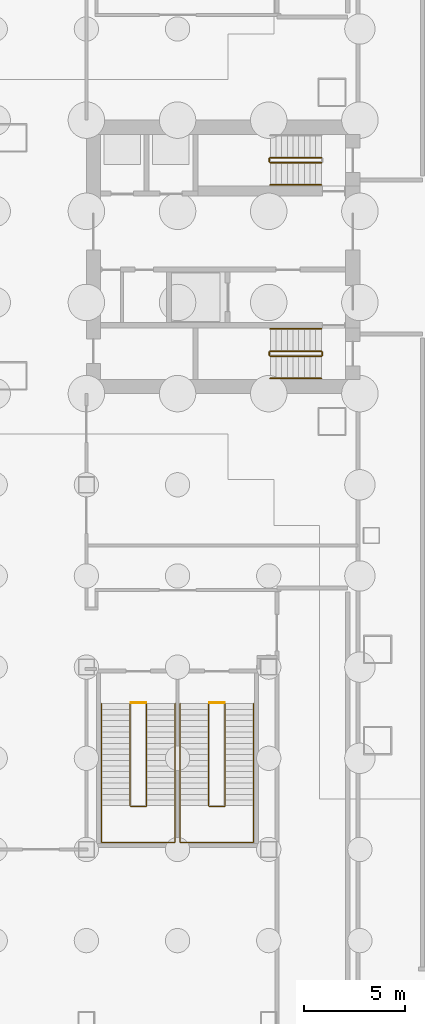
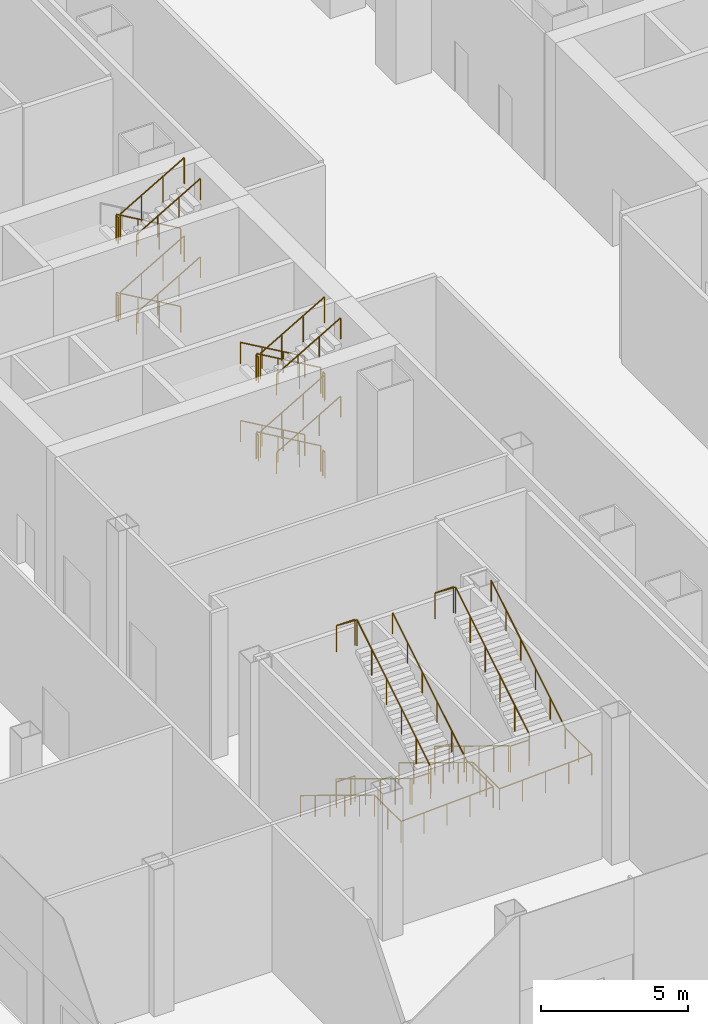
# One storey, part 30 of 37: 26 railings.
"""IFC4 building model written with IfcOpenShell, lengths in metres."""

from ifc_helpers import new_model, si_unit, direction, frame, origin, origin_2d, place, context, subcontext, project, spatial, circle, extrude, material, type_object, element, save


model = new_model("IFC4")

# Units and contexts
model_context = context("Model", 3, precision=1e-05, world=origin(), true_north=direction((0.0, 1.0)))
body_context = subcontext(model_context, "Body", "Model", "MODEL_VIEW")
ifc_project = project(units=[si_unit("LENGTHUNIT", "METRE"), si_unit("AREAUNIT", "SQUARE_METRE"), si_unit("VOLUMEUNIT", "CUBIC_METRE"), si_unit("PLANEANGLEUNIT", "RADIAN"), si_unit("MASSUNIT", "GRAM", prefix="KILO")], contexts=[model_context])

# Site, building, storey
site_placement = place(None, origin())
site = spatial("IfcSite", under=ifc_project, at=site_placement, CompositionType="ELEMENT")
building_placement = place(site_placement, origin())
building = spatial("IfcBuilding", under=site, at=building_placement, Name="Shamsa Quay Exchange Towers", CompositionType="ELEMENT")
storey_placement = place(building_placement, origin())
storey = spatial("IfcBuildingStorey", under=building, at=storey_placement, Name="L00", CompositionType="ELEMENT", Elevation=0.0)

# Railings
ifc_material = material(Name="Stainless steel", Category="steel")
railing_type_1 = type_object("IfcRailingType", Name="STAIR GUARD 1100", PredefinedType="GUARDRAIL", material=ifc_material)
railing_1_placement = place(storey_placement, frame((-42.39990234375, -4.64990234375, 0.16259765625)))
element("IfcRailing", 1, at=railing_1_placement, inside=storey, type_object=railing_type_1, Name="L00 ST2 stair guard 1", PredefinedType="GUARDRAIL", context=body_context, shape_type="SweptSolid", body=[
    extrude(circle(Radius=0.02392578125, at=origin_2d()), frame((0.0, 0.0, 1.076171875), z_axis=(-0.864913338283, 0.0, 0.50192122615), x_axis=(0.0, -1.0, 0.0)), (0.0, 0.0, 1.0), 2.91357421875),
    extrude(circle(Radius=0.02099609375, at=origin_2d()), origin(), (0.0, 0.0, 1.0), 1.052001953125),
    extrude(circle(Radius=0.02099609375, at=origin_2d()), frame((-0.840087890625, 0.0, 0.487548828125)), (0.0, 0.0, 1.0), 1.052001953125),
    extrude(circle(Radius=0.02099609375, at=origin_2d()), frame((-1.679931640625, 0.0, 0.974853515625)), (0.0, 0.0, 1.0), 1.052001953125),
    extrude(circle(Radius=0.02099609375, at=origin_2d()), frame((-2.52001953125, 0.0, 1.46240234375)), (0.0, 0.0, 1.0), 1.052001953125),
])
railing_2_placement = place(storey_placement, frame((-44.969970703125, -4.699951171875, 1.625)))
element("IfcRailing", 2, at=railing_2_placement, inside=storey, type_object=railing_type_1, Name="L00 ST2 stair guard 2", PredefinedType="GUARDRAIL", context=body_context, shape_type="SweptSolid", body=[
    extrude(circle(Radius=0.02392578125, at=origin_2d()), frame((0.0, 0.0, 1.076171875), z_axis=(0.0, -1.0, 0.0), x_axis=(1.0, 0.0, 0.0)), (0.0, 0.0, 1.0), 0.150146484375),
    extrude(circle(Radius=0.02099609375, at=origin_2d()), origin(), (0.0, 0.0, 1.0), 1.052001953125),
    extrude(circle(Radius=0.02099609375, at=origin_2d()), frame((0.0, -0.150146484375, 0.0)), (0.0, 0.0, 1.0), 1.052001953125),
])
railing_3_placement = place(storey_placement, frame((-44.919921875, -4.89990234375, 1.78759765625)))
element("IfcRailing", 3, at=railing_3_placement, inside=storey, type_object=railing_type_1, Name="L00 ST2 stair guard 3", PredefinedType="GUARDRAIL", context=body_context, shape_type="SweptSolid", body=[
    extrude(circle(Radius=0.02392578125, at=origin_2d()), frame((0.0, 0.0, 1.076171875), z_axis=(0.864913338283, 0.0, 0.50192122615), x_axis=(0.0, 1.0, 0.0)), (0.0, 0.0, 1.0), 2.91357421875),
    extrude(circle(Radius=0.02099609375, at=origin_2d()), origin(), (0.0, 0.0, 1.0), 1.052001953125),
    extrude(circle(Radius=0.02099609375, at=origin_2d()), frame((0.840087890625, 0.0, 0.487548828125)), (0.0, 0.0, 1.0), 1.052001953125),
    extrude(circle(Radius=0.02099609375, at=origin_2d()), frame((1.679931640625, 0.0, 0.974853515625)), (0.0, 0.0, 1.0), 1.052001953125),
    extrude(circle(Radius=0.02099609375, at=origin_2d()), frame((2.52001953125, 0.0, 1.46240234375)), (0.0, 0.0, 1.0), 1.052001953125),
])
railing_4_placement = place(storey_placement, frame((-42.35009765625, -4.699951171875, 3.25)))
element("IfcRailing", 4, at=railing_4_placement, inside=storey, type_object=railing_type_1, Name="L00 ST2 stair guard 4", PredefinedType="GUARDRAIL", context=body_context, shape_type="SweptSolid", body=[
    extrude(circle(Radius=0.02392578125, at=origin_2d()), frame((0.0, 0.0, 1.076171875), z_axis=(0.0, -1.0, 0.0), x_axis=(1.0, 0.0, 0.0)), (0.0, 0.0, 1.0), 0.150146484375),
    extrude(circle(Radius=0.02099609375, at=origin_2d()), origin(), (0.0, 0.0, 1.0), 1.052001953125),
    extrude(circle(Radius=0.02099609375, at=origin_2d()), frame((0.0, -0.150146484375, 0.0)), (0.0, 0.0, 1.0), 1.052001953125),
])
railing_5_placement = place(storey_placement, frame((-42.39990234375, -4.64990234375, 3.41259765625)))
element("IfcRailing", 5, at=railing_5_placement, inside=storey, type_object=railing_type_1, Name="L00 ST2 stair guard 5", PredefinedType="GUARDRAIL", context=body_context, shape_type="SweptSolid", body=[
    extrude(circle(Radius=0.02392578125, at=origin_2d()), frame((0.0, 0.0, 1.076171875), z_axis=(-0.864913338283, 0.0, 0.50192122615), x_axis=(0.0, -1.0, 0.0)), (0.0, 0.0, 1.0), 2.91357421875),
    extrude(circle(Radius=0.02099609375, at=origin_2d()), origin(), (0.0, 0.0, 1.0), 1.052001953125),
    extrude(circle(Radius=0.02099609375, at=origin_2d()), frame((-0.840087890625, 0.0, 0.487548828125)), (0.0, 0.0, 1.0), 1.052001953125),
    extrude(circle(Radius=0.02099609375, at=origin_2d()), frame((-1.679931640625, 0.0, 0.974853515625)), (0.0, 0.0, 1.0), 1.052001953125),
    extrude(circle(Radius=0.02099609375, at=origin_2d()), frame((-2.52001953125, 0.0, 1.46240234375)), (0.0, 0.0, 1.0), 1.052001953125),
])
railing_6_placement = place(storey_placement, frame((-44.969970703125, -4.699951171875, 4.875)))
element("IfcRailing", 6, at=railing_6_placement, inside=storey, type_object=railing_type_1, Name="L00 ST2 stair guard 6", PredefinedType="GUARDRAIL", context=body_context, shape_type="SweptSolid", body=[
    extrude(circle(Radius=0.02392578125, at=origin_2d()), frame((0.0, 0.0, 1.076171875), z_axis=(0.0, -1.0, 0.0), x_axis=(1.0, 0.0, 0.0)), (0.0, 0.0, 1.0), 0.150146484375),
    extrude(circle(Radius=0.02099609375, at=origin_2d()), origin(), (0.0, 0.0, 1.0), 1.052001953125),
    extrude(circle(Radius=0.02099609375, at=origin_2d()), frame((0.0, -0.150146484375, 0.0)), (0.0, 0.0, 1.0), 1.052001953125),
])
railing_7_placement = place(storey_placement, frame((-44.919921875, -4.89990234375, 5.03759765625)))
element("IfcRailing", 7, at=railing_7_placement, inside=storey, type_object=railing_type_1, Name="L00 ST2 stair guard 7", PredefinedType="GUARDRAIL", context=body_context, shape_type="SweptSolid", body=[
    extrude(circle(Radius=0.02392578125, at=origin_2d()), frame((0.0, 0.0, 1.076171875), z_axis=(0.864913338283, 0.0, 0.50192122615), x_axis=(0.0, 1.0, 0.0)), (0.0, 0.0, 1.0), 2.91357421875),
    extrude(circle(Radius=0.02099609375, at=origin_2d()), origin(), (0.0, 0.0, 1.0), 1.052001953125),
    extrude(circle(Radius=0.02099609375, at=origin_2d()), frame((0.840087890625, 0.0, 0.487548828125)), (0.0, 0.0, 1.0), 1.052001953125),
    extrude(circle(Radius=0.02099609375, at=origin_2d()), frame((1.679931640625, 0.0, 0.974853515625)), (0.0, 0.0, 1.0), 1.052001953125),
    extrude(circle(Radius=0.02099609375, at=origin_2d()), frame((2.52001953125, 0.0, 1.46240234375)), (0.0, 0.0, 1.0), 1.052001953125),
])
railing_8_placement = place(storey_placement, frame((-42.35009765625, -4.699951171875, 0.0)))
element("IfcRailing", 8, at=railing_8_placement, inside=storey, type_object=railing_type_1, Name="L00 ST2 stair guard 8", PredefinedType="GUARDRAIL", context=body_context, shape_type="SweptSolid", body=[
    extrude(circle(Radius=0.02392578125, at=origin_2d()), frame((0.0, 0.0, 1.076171875), z_axis=(0.0, -1.0, 0.0), x_axis=(1.0, 0.0, 0.0)), (0.0, 0.0, 1.0), 0.150146484375),
    extrude(circle(Radius=0.02099609375, at=origin_2d()), origin(), (0.0, 0.0, 1.0), 1.052001953125),
    extrude(circle(Radius=0.02099609375, at=origin_2d()), frame((0.0, -0.150146484375, 0.0)), (0.0, 0.0, 1.0), 1.052001953125),
])
railing_9_placement = place(storey_placement, frame((-42.39990234375, 4.89990234375, 0.16259765625)))
element("IfcRailing", 9, at=railing_9_placement, inside=storey, type_object=railing_type_1, Name="L00 ST3 stair guard 1", PredefinedType="GUARDRAIL", context=body_context, shape_type="SweptSolid", body=[
    extrude(circle(Radius=0.02392578125, at=origin_2d()), frame((0.0, 0.0, 1.076171875), z_axis=(-0.864913338283, 0.0, 0.50192122615), x_axis=(0.0, -1.0, 0.0)), (0.0, 0.0, 1.0), 2.91357421875),
    extrude(circle(Radius=0.02099609375, at=origin_2d()), origin(), (0.0, 0.0, 1.0), 1.052001953125),
    extrude(circle(Radius=0.02099609375, at=origin_2d()), frame((-0.840087890625, 0.0, 0.487548828125)), (0.0, 0.0, 1.0), 1.052001953125),
    extrude(circle(Radius=0.02099609375, at=origin_2d()), frame((-1.679931640625, 0.0, 0.974853515625)), (0.0, 0.0, 1.0), 1.052001953125),
    extrude(circle(Radius=0.02099609375, at=origin_2d()), frame((-2.52001953125, 0.0, 1.46240234375)), (0.0, 0.0, 1.0), 1.052001953125),
])
railing_10_placement = place(storey_placement, frame((-44.969970703125, 4.85009765625, 1.625)))
element("IfcRailing", 10, at=railing_10_placement, inside=storey, type_object=railing_type_1, Name="L00 ST3 stair guard 2", PredefinedType="GUARDRAIL", context=body_context, shape_type="SweptSolid", body=[
    extrude(circle(Radius=0.02392578125, at=origin_2d()), frame((0.0, 0.0, 1.076171875), z_axis=(0.0, -1.0, 0.0), x_axis=(1.0, 0.0, 0.0)), (0.0, 0.0, 1.0), 0.150146484375),
    extrude(circle(Radius=0.02099609375, at=origin_2d()), origin(), (0.0, 0.0, 1.0), 1.052001953125),
    extrude(circle(Radius=0.02099609375, at=origin_2d()), frame((0.0, -0.150146484375, 0.0)), (0.0, 0.0, 1.0), 1.052001953125),
])
railing_11_placement = place(storey_placement, frame((-44.919921875, 4.64990234375, 1.78759765625)))
element("IfcRailing", 11, at=railing_11_placement, inside=storey, type_object=railing_type_1, Name="L00 ST3 stair guard 3", PredefinedType="GUARDRAIL", context=body_context, shape_type="SweptSolid", body=[
    extrude(circle(Radius=0.02392578125, at=origin_2d()), frame((0.0, 0.0, 1.076171875), z_axis=(0.864913338283, 0.0, 0.50192122615), x_axis=(0.0, 1.0, 0.0)), (0.0, 0.0, 1.0), 2.91357421875),
    extrude(circle(Radius=0.02099609375, at=origin_2d()), origin(), (0.0, 0.0, 1.0), 1.052001953125),
    extrude(circle(Radius=0.02099609375, at=origin_2d()), frame((0.840087890625, 0.0, 0.487548828125)), (0.0, 0.0, 1.0), 1.052001953125),
    extrude(circle(Radius=0.02099609375, at=origin_2d()), frame((1.679931640625, 0.0, 0.974853515625)), (0.0, 0.0, 1.0), 1.052001953125),
    extrude(circle(Radius=0.02099609375, at=origin_2d()), frame((2.52001953125, 0.0, 1.46240234375)), (0.0, 0.0, 1.0), 1.052001953125),
])
railing_12_placement = place(storey_placement, frame((-42.39990234375, 4.89990234375, 3.41259765625)))
element("IfcRailing", 12, at=railing_12_placement, inside=storey, type_object=railing_type_1, Name="L00 ST3 stair guard 5", PredefinedType="GUARDRAIL", context=body_context, shape_type="SweptSolid", body=[
    extrude(circle(Radius=0.02392578125, at=origin_2d()), frame((0.0, 0.0, 1.076171875), z_axis=(-0.864913338283, 0.0, 0.50192122615), x_axis=(0.0, -1.0, 0.0)), (0.0, 0.0, 1.0), 2.91357421875),
    extrude(circle(Radius=0.02099609375, at=origin_2d()), origin(), (0.0, 0.0, 1.0), 1.052001953125),
    extrude(circle(Radius=0.02099609375, at=origin_2d()), frame((-0.840087890625, 0.0, 0.487548828125)), (0.0, 0.0, 1.0), 1.052001953125),
    extrude(circle(Radius=0.02099609375, at=origin_2d()), frame((-1.679931640625, 0.0, 0.974853515625)), (0.0, 0.0, 1.0), 1.052001953125),
    extrude(circle(Radius=0.02099609375, at=origin_2d()), frame((-2.52001953125, 0.0, 1.46240234375)), (0.0, 0.0, 1.0), 1.052001953125),
])
railing_13_placement = place(storey_placement, frame((-44.969970703125, 4.85009765625, 4.875)))
element("IfcRailing", 13, at=railing_13_placement, inside=storey, type_object=railing_type_1, Name="L00 ST3 stair guard 6", PredefinedType="GUARDRAIL", context=body_context, shape_type="SweptSolid", body=[
    extrude(circle(Radius=0.02392578125, at=origin_2d()), frame((0.0, 0.0, 1.076171875), z_axis=(0.0, -1.0, 0.0), x_axis=(1.0, 0.0, 0.0)), (0.0, 0.0, 1.0), 0.150146484375),
    extrude(circle(Radius=0.02099609375, at=origin_2d()), origin(), (0.0, 0.0, 1.0), 1.052001953125),
    extrude(circle(Radius=0.02099609375, at=origin_2d()), frame((0.0, -0.150146484375, 0.0)), (0.0, 0.0, 1.0), 1.052001953125),
])
railing_14_placement = place(storey_placement, frame((-44.919921875, 4.64990234375, 5.03759765625)))
element("IfcRailing", 14, at=railing_14_placement, inside=storey, type_object=railing_type_1, Name="L00 ST3 stair guard 7", PredefinedType="GUARDRAIL", context=body_context, shape_type="SweptSolid", body=[
    extrude(circle(Radius=0.02392578125, at=origin_2d()), frame((0.0, 0.0, 1.076171875), z_axis=(0.864913338283, 0.0, 0.50192122615), x_axis=(0.0, 1.0, 0.0)), (0.0, 0.0, 1.0), 2.91357421875),
    extrude(circle(Radius=0.02099609375, at=origin_2d()), origin(), (0.0, 0.0, 1.0), 1.052001953125),
    extrude(circle(Radius=0.02099609375, at=origin_2d()), frame((0.840087890625, 0.0, 0.487548828125)), (0.0, 0.0, 1.0), 1.052001953125),
    extrude(circle(Radius=0.02099609375, at=origin_2d()), frame((1.679931640625, 0.0, 0.974853515625)), (0.0, 0.0, 1.0), 1.052001953125),
    extrude(circle(Radius=0.02099609375, at=origin_2d()), frame((2.52001953125, 0.0, 1.46240234375)), (0.0, 0.0, 1.0), 1.052001953125),
])
railing_15_placement = place(storey_placement, frame((-51.85009765625, -22.050048828125, 0.171142578125)))
element("IfcRailing", 15, at=railing_15_placement, inside=storey, type_object=railing_type_1, Name="L00 PS5A stair guard 1", PredefinedType="GUARDRAIL", context=body_context, shape_type="SweptSolid", body=[
    extrude(circle(Radius=0.02392578125, at=origin_2d()), frame((0.0, 0.0, 1.076171875), z_axis=(0.0, -0.853369698388, 0.521306203564), x_axis=(1.0, 0.0, 0.0)), (0.0, 0.0, 1.0), 5.906005859375),
    extrude(circle(Radius=0.02392578125, at=origin_2d()), frame((0.0, -5.0400390625, 4.15478515625), z_axis=(0.708833529934, -0.705375805398, 0.0), x_axis=(0.705375805398, 0.708833529934, 0.0)), (0.0, 0.0, 1.0), 0.070556640625),
    extrude(circle(Radius=0.02392578125, at=origin_2d()), frame((0.050048828125, -5.08984375, 4.15478515625), z_axis=(1.0, 0.0, 0.0), x_axis=(0.0, 1.0, 0.0)), (0.0, 0.0, 1.0), 0.72509765625),
    extrude(circle(Radius=0.02392578125, at=origin_2d()), frame((0.775146484375, -5.08984375, 4.15478515625), z_axis=(0.270336121127, 0.269017408341, 0.924417662977), x_axis=(-0.705375805398, 0.708833529934, 0.0)), (0.0, 0.0, 1.0), 0.18505859375),
    extrude(circle(Radius=0.02392578125, at=origin_2d()), frame((0.8251953125, -5.0400390625, 4.326171875), z_axis=(0.0, 0.853369698388, 0.521306203564), x_axis=(-1.0, 0.0, 0.0)), (0.0, 0.0, 1.0), 5.906005859375),
    extrude(circle(Radius=0.02392578125, at=origin_2d()), frame((0.8251953125, 0.0, 7.40478515625), z_axis=(-0.997922050633, 0.064432762324, 0.0), x_axis=(-0.064432762324, -0.997922050633, 0.0)), (0.0, 0.0, 1.0), 0.77685546875),
    extrude(circle(Radius=0.02392578125, at=origin_2d()), frame((0.050048828125, 0.050048828125, 7.40478515625), z_axis=(1.0, 0.0, 0.0), x_axis=(0.0, 1.0, 0.0)), (0.0, 0.0, 1.0), 0.72509765625),
    extrude(circle(Radius=0.02099609375, at=origin_2d()), origin(), (0.0, 0.0, 1.0), 1.052001953125),
    extrude(circle(Radius=0.02099609375, at=origin_2d()), frame((0.0, -1.008056640625, 0.61572265625)), (0.0, 0.0, 1.0), 1.052001953125),
    extrude(circle(Radius=0.02099609375, at=origin_2d()), frame((0.0, -2.01611328125, 1.2314453125)), (0.0, 0.0, 1.0), 1.052001953125),
    extrude(circle(Radius=0.02099609375, at=origin_2d()), frame((0.0, -3.02392578125, 1.847412109375)), (0.0, 0.0, 1.0), 1.052001953125),
    extrude(circle(Radius=0.02099609375, at=origin_2d()), frame((0.0, -4.031982421875, 2.463134765625)), (0.0, 0.0, 1.0), 1.052001953125),
    extrude(circle(Radius=0.02099609375, at=origin_2d()), frame((0.0, -5.0400390625, 3.078857421875)), (0.0, 0.0, 1.0), 1.052001953125),
    extrude(circle(Radius=0.02099609375, at=origin_2d()), frame((0.050048828125, -5.08984375, 3.078857421875)), (0.0, 0.0, 1.0), 1.052001953125),
    extrude(circle(Radius=0.02099609375, at=origin_2d()), frame((0.775146484375, -5.08984375, 3.078857421875)), (0.0, 0.0, 1.0), 1.052001953125),
    extrude(circle(Radius=0.02099609375, at=origin_2d()), frame((0.8251953125, -5.0400390625, 3.25)), (0.0, 0.0, 1.0), 1.052001953125),
    extrude(circle(Radius=0.02099609375, at=origin_2d()), frame((0.8251953125, -4.031982421875, 3.86572265625)), (0.0, 0.0, 1.0), 1.052001953125),
    extrude(circle(Radius=0.02099609375, at=origin_2d()), frame((0.8251953125, -3.02392578125, 4.4814453125)), (0.0, 0.0, 1.0), 1.052001953125),
    extrude(circle(Radius=0.02099609375, at=origin_2d()), frame((0.8251953125, -2.01611328125, 5.097412109375)), (0.0, 0.0, 1.0), 1.052001953125),
    extrude(circle(Radius=0.02099609375, at=origin_2d()), frame((0.8251953125, -1.008056640625, 5.713134765625)), (0.0, 0.0, 1.0), 1.052001953125),
    extrude(circle(Radius=0.02099609375, at=origin_2d()), frame((0.8251953125, 0.0, 6.328857421875)), (0.0, 0.0, 1.0), 1.052001953125),
    extrude(circle(Radius=0.02099609375, at=origin_2d()), frame((0.050048828125, 0.050048828125, 6.328857421875)), (0.0, 0.0, 1.0), 1.052001953125),
    extrude(circle(Radius=0.02099609375, at=origin_2d()), frame((0.775146484375, 0.050048828125, 6.328857421875)), (0.0, 0.0, 1.0), 1.052001953125),
])
railing_16_placement = place(storey_placement, frame((-51.800048828125, -22.0, 0.0)))
element("IfcRailing", 16, at=railing_16_placement, inside=storey, type_object=railing_type_1, Name="L00 PS5A stair guard 2", PredefinedType="GUARDRAIL", context=body_context, shape_type="SweptSolid", body=[
    extrude(circle(Radius=0.02392578125, at=origin_2d()), frame((0.0, 0.0, 1.076171875), z_axis=(1.0, 0.0, 0.0), x_axis=(0.0, 1.0, 0.0)), (0.0, 0.0, 1.0), 0.72509765625),
    extrude(circle(Radius=0.02099609375, at=origin_2d()), origin(), (0.0, 0.0, 1.0), 1.052001953125),
    extrude(circle(Radius=0.02099609375, at=origin_2d()), frame((0.72509765625, 0.0, 0.0)), (0.0, 0.0, 1.0), 1.052001953125),
])
railing_17_placement = place(storey_placement, frame((-47.97509765625, -22.050048828125, 0.171142578125)))
element("IfcRailing", 17, at=railing_17_placement, inside=storey, type_object=railing_type_1, Name="L00 PS5B stair guard 1", PredefinedType="GUARDRAIL", context=body_context, shape_type="SweptSolid", body=[
    extrude(circle(Radius=0.02392578125, at=origin_2d()), frame((0.0, 0.0, 1.076171875), z_axis=(0.0, -0.853369698388, 0.521306203564), x_axis=(1.0, 0.0, 0.0)), (0.0, 0.0, 1.0), 5.906005859375),
    extrude(circle(Radius=0.02392578125, at=origin_2d()), frame((0.0, -5.0400390625, 4.15478515625), z_axis=(0.708833529934, -0.705375805398, 0.0), x_axis=(0.705375805398, 0.708833529934, 0.0)), (0.0, 0.0, 1.0), 0.070556640625),
    extrude(circle(Radius=0.02392578125, at=origin_2d()), frame((0.050048828125, -5.08984375, 4.15478515625), z_axis=(1.0, 0.0, 0.0), x_axis=(0.0, 1.0, 0.0)), (0.0, 0.0, 1.0), 0.72509765625),
    extrude(circle(Radius=0.02392578125, at=origin_2d()), frame((0.775146484375, -5.08984375, 4.15478515625), z_axis=(0.270336121127, 0.269017408341, 0.924417662977), x_axis=(-0.705375805398, 0.708833529934, 0.0)), (0.0, 0.0, 1.0), 0.18505859375),
    extrude(circle(Radius=0.02392578125, at=origin_2d()), frame((0.8251953125, -5.0400390625, 4.326171875), z_axis=(0.0, 0.853369698388, 0.521306203564), x_axis=(-1.0, 0.0, 0.0)), (0.0, 0.0, 1.0), 5.906005859375),
    extrude(circle(Radius=0.02392578125, at=origin_2d()), frame((0.8251953125, 0.0, 7.40478515625), z_axis=(-0.997922050633, 0.064432762324, 0.0), x_axis=(-0.064432762324, -0.997922050633, 0.0)), (0.0, 0.0, 1.0), 0.77685546875),
    extrude(circle(Radius=0.02392578125, at=origin_2d()), frame((0.050048828125, 0.050048828125, 7.40478515625), z_axis=(1.0, 0.0, 0.0), x_axis=(0.0, 1.0, 0.0)), (0.0, 0.0, 1.0), 0.72509765625),
    extrude(circle(Radius=0.02099609375, at=origin_2d()), origin(), (0.0, 0.0, 1.0), 1.052001953125),
    extrude(circle(Radius=0.02099609375, at=origin_2d()), frame((0.0, -1.008056640625, 0.61572265625)), (0.0, 0.0, 1.0), 1.052001953125),
    extrude(circle(Radius=0.02099609375, at=origin_2d()), frame((0.0, -2.01611328125, 1.2314453125)), (0.0, 0.0, 1.0), 1.052001953125),
    extrude(circle(Radius=0.02099609375, at=origin_2d()), frame((0.0, -3.02392578125, 1.847412109375)), (0.0, 0.0, 1.0), 1.052001953125),
    extrude(circle(Radius=0.02099609375, at=origin_2d()), frame((0.0, -4.031982421875, 2.463134765625)), (0.0, 0.0, 1.0), 1.052001953125),
    extrude(circle(Radius=0.02099609375, at=origin_2d()), frame((0.0, -5.0400390625, 3.078857421875)), (0.0, 0.0, 1.0), 1.052001953125),
    extrude(circle(Radius=0.02099609375, at=origin_2d()), frame((0.050048828125, -5.08984375, 3.078857421875)), (0.0, 0.0, 1.0), 1.052001953125),
    extrude(circle(Radius=0.02099609375, at=origin_2d()), frame((0.775146484375, -5.08984375, 3.078857421875)), (0.0, 0.0, 1.0), 1.052001953125),
    extrude(circle(Radius=0.02099609375, at=origin_2d()), frame((0.8251953125, -5.0400390625, 3.25)), (0.0, 0.0, 1.0), 1.052001953125),
    extrude(circle(Radius=0.02099609375, at=origin_2d()), frame((0.8251953125, -4.031982421875, 3.86572265625)), (0.0, 0.0, 1.0), 1.052001953125),
    extrude(circle(Radius=0.02099609375, at=origin_2d()), frame((0.8251953125, -3.02392578125, 4.4814453125)), (0.0, 0.0, 1.0), 1.052001953125),
    extrude(circle(Radius=0.02099609375, at=origin_2d()), frame((0.8251953125, -2.01611328125, 5.097412109375)), (0.0, 0.0, 1.0), 1.052001953125),
    extrude(circle(Radius=0.02099609375, at=origin_2d()), frame((0.8251953125, -1.008056640625, 5.713134765625)), (0.0, 0.0, 1.0), 1.052001953125),
    extrude(circle(Radius=0.02099609375, at=origin_2d()), frame((0.8251953125, 0.0, 6.328857421875)), (0.0, 0.0, 1.0), 1.052001953125),
    extrude(circle(Radius=0.02099609375, at=origin_2d()), frame((0.050048828125, 0.050048828125, 6.328857421875)), (0.0, 0.0, 1.0), 1.052001953125),
    extrude(circle(Radius=0.02099609375, at=origin_2d()), frame((0.775146484375, 0.050048828125, 6.328857421875)), (0.0, 0.0, 1.0), 1.052001953125),
])
railing_18_placement = place(storey_placement, frame((-47.925048828125, -22.0, 0.0)))
element("IfcRailing", 18, at=railing_18_placement, inside=storey, type_object=railing_type_1, Name="L00 PS5B stair guard 2", PredefinedType="GUARDRAIL", context=body_context, shape_type="SweptSolid", body=[
    extrude(circle(Radius=0.02392578125, at=origin_2d()), frame((0.0, 0.0, 1.076171875), z_axis=(1.0, 0.0, 0.0), x_axis=(0.0, 1.0, 0.0)), (0.0, 0.0, 1.0), 0.72509765625),
    extrude(circle(Radius=0.02099609375, at=origin_2d()), origin(), (0.0, 0.0, 1.0), 1.052001953125),
    extrude(circle(Radius=0.02099609375, at=origin_2d()), frame((0.72509765625, 0.0, 0.0)), (0.0, 0.0, 1.0), 1.052001953125),
])
railing_type_2 = type_object("IfcRailingType", Name="STAIR HANDRAIL 900", PredefinedType="HANDRAIL", material=ifc_material)
railing_19_placement = place(storey_placement, frame((-42.39990234375, -3.550048828125, 0.16259765625)))
element("IfcRailing", 19, at=railing_19_placement, inside=storey, type_object=railing_type_2, Name="L00 ST2 stair handrail 1", PredefinedType="HANDRAIL", context=body_context, shape_type="SweptSolid", body=[
    extrude(circle(Radius=0.02392578125, at=origin_2d()), frame((0.0, 0.0, 0.8759765625), z_axis=(-0.864913338283, 0.0, 0.50192122615), x_axis=(0.0, -1.0, 0.0)), (0.0, 0.0, 1.0), 2.91357421875),
    extrude(circle(Radius=0.02099609375, at=origin_2d()), origin(), (0.0, 0.0, 1.0), 0.851806640625),
    extrude(circle(Radius=0.02099609375, at=origin_2d()), frame((-0.840087890625, 0.0, 0.487548828125)), (0.0, 0.0, 1.0), 0.851806640625),
    extrude(circle(Radius=0.02099609375, at=origin_2d()), frame((-1.679931640625, 0.0, 0.974853515625)), (0.0, 0.0, 1.0), 0.851806640625),
    extrude(circle(Radius=0.02099609375, at=origin_2d()), frame((-2.52001953125, 0.0, 1.46240234375)), (0.0, 0.0, 1.0), 0.851806640625),
])
railing_20_placement = place(storey_placement, frame((-44.919921875, -6.0, 1.78759765625)))
element("IfcRailing", 20, at=railing_20_placement, inside=storey, type_object=railing_type_2, Name="L00 ST2 stair handrail 2", PredefinedType="HANDRAIL", context=body_context, shape_type="SweptSolid", body=[
    extrude(circle(Radius=0.02392578125, at=origin_2d()), frame((0.0, 0.0, 0.8759765625), z_axis=(0.864913338283, 0.0, 0.50192122615), x_axis=(0.0, 1.0, 0.0)), (0.0, 0.0, 1.0), 2.91357421875),
    extrude(circle(Radius=0.02099609375, at=origin_2d()), origin(), (0.0, 0.0, 1.0), 0.851806640625),
    extrude(circle(Radius=0.02099609375, at=origin_2d()), frame((0.840087890625, 0.0, 0.487548828125)), (0.0, 0.0, 1.0), 0.851806640625),
    extrude(circle(Radius=0.02099609375, at=origin_2d()), frame((1.679931640625, 0.0, 0.974853515625)), (0.0, 0.0, 1.0), 0.851806640625),
    extrude(circle(Radius=0.02099609375, at=origin_2d()), frame((2.52001953125, 0.0, 1.46240234375)), (0.0, 0.0, 1.0), 0.851806640625),
])
railing_21_placement = place(storey_placement, frame((-42.39990234375, -3.550048828125, 3.41259765625)))
element("IfcRailing", 21, at=railing_21_placement, inside=storey, type_object=railing_type_2, Name="L00 ST2 stair handrail 3", PredefinedType="HANDRAIL", context=body_context, shape_type="SweptSolid", body=[
    extrude(circle(Radius=0.02392578125, at=origin_2d()), frame((0.0, 0.0, 0.8759765625), z_axis=(-0.864913338283, 0.0, 0.50192122615), x_axis=(0.0, -1.0, 0.0)), (0.0, 0.0, 1.0), 2.91357421875),
    extrude(circle(Radius=0.02099609375, at=origin_2d()), origin(), (0.0, 0.0, 1.0), 0.851806640625),
    extrude(circle(Radius=0.02099609375, at=origin_2d()), frame((-0.840087890625, 0.0, 0.487548828125)), (0.0, 0.0, 1.0), 0.851806640625),
    extrude(circle(Radius=0.02099609375, at=origin_2d()), frame((-1.679931640625, 0.0, 0.974853515625)), (0.0, 0.0, 1.0), 0.851806640625),
    extrude(circle(Radius=0.02099609375, at=origin_2d()), frame((-2.52001953125, 0.0, 1.46240234375)), (0.0, 0.0, 1.0), 0.851806640625),
])
for number, where, name in (
    (22, (-44.919921875, -6.0, 5.03759765625), "L00 ST2 stair handrail 4"),
    (23, (-44.919921875, 3.550048828125, 1.78759765625), "L00 ST3 stair handrail 2"),
    (24, (-44.919921875, 3.550048828125, 5.03759765625), "L00 ST3 stair handrail 4"),
):
    element("IfcRailing", number, at=place(storey_placement, frame(where)), inside=storey, type_object=railing_type_2, Name=name, PredefinedType="HANDRAIL", context=body_context, shape_type="SweptSolid", body=[
        extrude(circle(Radius=0.02392578125, at=origin_2d()), frame((0.0, 0.0, 0.8759765625), z_axis=(0.864913338283, 0.0, 0.50192122615), x_axis=(0.0, 1.0, 0.0)), (0.0, 0.0, 1.0), 2.91357421875),
        extrude(circle(Radius=0.02099609375, at=origin_2d()), origin(), (0.0, 0.0, 1.0), 0.851806640625),
        extrude(circle(Radius=0.02099609375, at=origin_2d()), frame((0.840087890625, 0.0, 0.487548828125)), (0.0, 0.0, 1.0), 0.851806640625),
        extrude(circle(Radius=0.02099609375, at=origin_2d()), frame((1.679931640625, 0.0, 0.974853515625)), (0.0, 0.0, 1.0), 0.851806640625),
        extrude(circle(Radius=0.02099609375, at=origin_2d()), frame((2.52001953125, 0.0, 1.46240234375)), (0.0, 0.0, 1.0), 0.851806640625),
    ])
railing_22_placement = place(storey_placement, frame((-53.25, -22.050048828125, 0.171142578125)))
element("IfcRailing", 25, at=railing_22_placement, inside=storey, type_object=railing_type_2, Name="L00 PS5A stair handrail 1", PredefinedType="HANDRAIL", context=body_context, shape_type="SweptSolid", body=[
    extrude(circle(Radius=0.02392578125, at=origin_2d()), frame((0.0, 0.0, 0.8759765625), z_axis=(0.0, -0.853369698388, 0.521306203564), x_axis=(1.0, 0.0, 0.0)), (0.0, 0.0, 1.0), 5.906005859375),
    extrude(circle(Radius=0.02392578125, at=origin_2d()), frame((0.0, -5.0400390625, 3.95458984375), z_axis=(0.0, -1.0, 0.0), x_axis=(1.0, 0.0, 0.0)), (0.0, 0.0, 1.0), 1.809814453125),
    extrude(circle(Radius=0.02392578125, at=origin_2d()), frame((0.0, -6.849853515625, 3.95458984375), z_axis=(0.998887385161, 0.0, 0.047159217201), x_axis=(0.0, 1.0, 0.0)), (0.0, 0.0, 1.0), 3.629150390625),
    extrude(circle(Radius=0.02392578125, at=origin_2d()), frame((3.625, -6.849853515625, 4.1259765625), z_axis=(0.0, 1.0, 0.0), x_axis=(-1.0, 0.0, 0.0)), (0.0, 0.0, 1.0), 1.809814453125),
    extrude(circle(Radius=0.02392578125, at=origin_2d()), frame((3.625, -5.0400390625, 4.1259765625), z_axis=(0.0, 0.853369698388, 0.521306203564), x_axis=(-1.0, 0.0, 0.0)), (0.0, 0.0, 1.0), 5.906005859375),
    extrude(circle(Radius=0.02099609375, at=origin_2d()), origin(), (0.0, 0.0, 1.0), 0.851806640625),
    extrude(circle(Radius=0.02099609375, at=origin_2d()), frame((0.0, -1.008056640625, 0.61572265625)), (0.0, 0.0, 1.0), 0.851806640625),
    extrude(circle(Radius=0.02099609375, at=origin_2d()), frame((0.0, -2.01611328125, 1.2314453125)), (0.0, 0.0, 1.0), 0.851806640625),
    extrude(circle(Radius=0.02099609375, at=origin_2d()), frame((0.0, -3.02392578125, 1.847412109375)), (0.0, 0.0, 1.0), 0.851806640625),
    extrude(circle(Radius=0.02099609375, at=origin_2d()), frame((0.0, -4.031982421875, 2.463134765625)), (0.0, 0.0, 1.0), 0.851806640625),
    extrude(circle(Radius=0.02099609375, at=origin_2d()), frame((0.0, -5.0400390625, 3.078857421875)), (0.0, 0.0, 1.0), 0.851806640625),
    extrude(circle(Radius=0.02099609375, at=origin_2d()), frame((0.0, -5.94482421875, 3.078857421875)), (0.0, 0.0, 1.0), 0.851806640625),
    extrude(circle(Radius=0.02099609375, at=origin_2d()), frame((0.0, -6.849853515625, 3.078857421875)), (0.0, 0.0, 1.0), 0.851806640625),
    extrude(circle(Radius=0.02099609375, at=origin_2d()), frame((0.90625, -6.849853515625, 3.12158203125)), (0.0, 0.0, 1.0), 0.851806640625),
    extrude(circle(Radius=0.02099609375, at=origin_2d()), frame((1.8125, -6.849853515625, 3.16455078125)), (0.0, 0.0, 1.0), 0.851806640625),
    extrude(circle(Radius=0.02099609375, at=origin_2d()), frame((2.71875, -6.849853515625, 3.207275390625)), (0.0, 0.0, 1.0), 0.851806640625),
    extrude(circle(Radius=0.02099609375, at=origin_2d()), frame((3.625, -6.849853515625, 3.25)), (0.0, 0.0, 1.0), 0.851806640625),
    extrude(circle(Radius=0.02099609375, at=origin_2d()), frame((3.625, -5.94482421875, 3.25)), (0.0, 0.0, 1.0), 0.851806640625),
    extrude(circle(Radius=0.02099609375, at=origin_2d()), frame((3.625, -5.0400390625, 3.25)), (0.0, 0.0, 1.0), 0.851806640625),
    extrude(circle(Radius=0.02099609375, at=origin_2d()), frame((3.625, -4.031982421875, 3.86572265625)), (0.0, 0.0, 1.0), 0.851806640625),
    extrude(circle(Radius=0.02099609375, at=origin_2d()), frame((3.625, -3.02392578125, 4.4814453125)), (0.0, 0.0, 1.0), 0.851806640625),
    extrude(circle(Radius=0.02099609375, at=origin_2d()), frame((3.625, -2.01611328125, 5.097412109375)), (0.0, 0.0, 1.0), 0.851806640625),
    extrude(circle(Radius=0.02099609375, at=origin_2d()), frame((3.625, -1.008056640625, 5.713134765625)), (0.0, 0.0, 1.0), 0.851806640625),
    extrude(circle(Radius=0.02099609375, at=origin_2d()), frame((3.625, 0.0, 6.328857421875)), (0.0, 0.0, 1.0), 0.851806640625),
])
railing_23_placement = place(storey_placement, frame((-49.375, -22.050048828125, 0.171142578125)))
element("IfcRailing", 26, at=railing_23_placement, inside=storey, type_object=railing_type_2, Name="L00 PS5B stair handrail 1", PredefinedType="HANDRAIL", context=body_context, shape_type="SweptSolid", body=[
    extrude(circle(Radius=0.02392578125, at=origin_2d()), frame((0.0, 0.0, 0.8759765625), z_axis=(0.0, -0.853369698388, 0.521306203564), x_axis=(1.0, 0.0, 0.0)), (0.0, 0.0, 1.0), 5.906005859375),
    extrude(circle(Radius=0.02392578125, at=origin_2d()), frame((0.0, -5.0400390625, 3.95458984375), z_axis=(0.0, -1.0, 0.0), x_axis=(1.0, 0.0, 0.0)), (0.0, 0.0, 1.0), 1.809814453125),
    extrude(circle(Radius=0.02392578125, at=origin_2d()), frame((0.0, -6.849853515625, 3.95458984375), z_axis=(0.998887385161, 0.0, 0.047159217201), x_axis=(0.0, 1.0, 0.0)), (0.0, 0.0, 1.0), 3.629150390625),
    extrude(circle(Radius=0.02392578125, at=origin_2d()), frame((3.625, -6.849853515625, 4.1259765625), z_axis=(0.0, 1.0, 0.0), x_axis=(-1.0, 0.0, 0.0)), (0.0, 0.0, 1.0), 1.809814453125),
    extrude(circle(Radius=0.02392578125, at=origin_2d()), frame((3.625, -5.0400390625, 4.1259765625), z_axis=(0.0, 0.853369698388, 0.521306203564), x_axis=(-1.0, 0.0, 0.0)), (0.0, 0.0, 1.0), 5.906005859375),
    extrude(circle(Radius=0.02099609375, at=origin_2d()), origin(), (0.0, 0.0, 1.0), 0.851806640625),
    extrude(circle(Radius=0.02099609375, at=origin_2d()), frame((0.0, -1.008056640625, 0.61572265625)), (0.0, 0.0, 1.0), 0.851806640625),
    extrude(circle(Radius=0.02099609375, at=origin_2d()), frame((0.0, -2.01611328125, 1.2314453125)), (0.0, 0.0, 1.0), 0.851806640625),
    extrude(circle(Radius=0.02099609375, at=origin_2d()), frame((0.0, -3.02392578125, 1.847412109375)), (0.0, 0.0, 1.0), 0.851806640625),
    extrude(circle(Radius=0.02099609375, at=origin_2d()), frame((0.0, -4.031982421875, 2.463134765625)), (0.0, 0.0, 1.0), 0.851806640625),
    extrude(circle(Radius=0.02099609375, at=origin_2d()), frame((0.0, -5.0400390625, 3.078857421875)), (0.0, 0.0, 1.0), 0.851806640625),
    extrude(circle(Radius=0.02099609375, at=origin_2d()), frame((0.0, -5.94482421875, 3.078857421875)), (0.0, 0.0, 1.0), 0.851806640625),
    extrude(circle(Radius=0.02099609375, at=origin_2d()), frame((0.0, -6.849853515625, 3.078857421875)), (0.0, 0.0, 1.0), 0.851806640625),
    extrude(circle(Radius=0.02099609375, at=origin_2d()), frame((0.90625, -6.849853515625, 3.12158203125)), (0.0, 0.0, 1.0), 0.851806640625),
    extrude(circle(Radius=0.02099609375, at=origin_2d()), frame((1.8125, -6.849853515625, 3.16455078125)), (0.0, 0.0, 1.0), 0.851806640625),
    extrude(circle(Radius=0.02099609375, at=origin_2d()), frame((2.71875, -6.849853515625, 3.207275390625)), (0.0, 0.0, 1.0), 0.851806640625),
    extrude(circle(Radius=0.02099609375, at=origin_2d()), frame((3.625, -6.849853515625, 3.25)), (0.0, 0.0, 1.0), 0.851806640625),
    extrude(circle(Radius=0.02099609375, at=origin_2d()), frame((3.625, -5.94482421875, 3.25)), (0.0, 0.0, 1.0), 0.851806640625),
    extrude(circle(Radius=0.02099609375, at=origin_2d()), frame((3.625, -5.0400390625, 3.25)), (0.0, 0.0, 1.0), 0.851806640625),
    extrude(circle(Radius=0.02099609375, at=origin_2d()), frame((3.625, -4.031982421875, 3.86572265625)), (0.0, 0.0, 1.0), 0.851806640625),
    extrude(circle(Radius=0.02099609375, at=origin_2d()), frame((3.625, -3.02392578125, 4.4814453125)), (0.0, 0.0, 1.0), 0.851806640625),
    extrude(circle(Radius=0.02099609375, at=origin_2d()), frame((3.625, -2.01611328125, 5.097412109375)), (0.0, 0.0, 1.0), 0.851806640625),
    extrude(circle(Radius=0.02099609375, at=origin_2d()), frame((3.625, -1.008056640625, 5.713134765625)), (0.0, 0.0, 1.0), 0.851806640625),
    extrude(circle(Radius=0.02099609375, at=origin_2d()), frame((3.625, 0.0, 6.328857421875)), (0.0, 0.0, 1.0), 0.851806640625),
])

save(model, "model.ifc")
